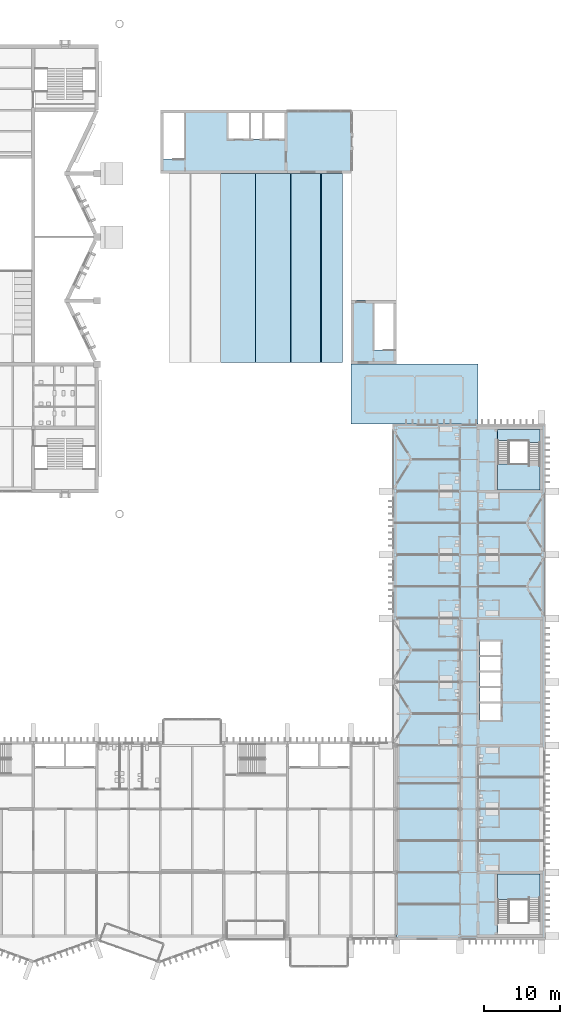
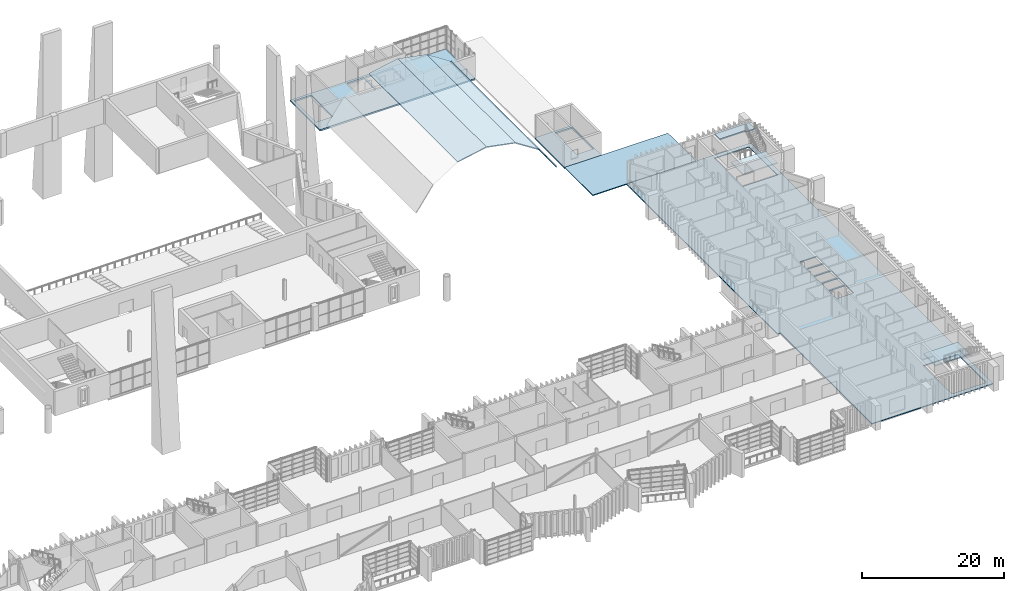
# One storey, part 56 of 100: 11 slabs, 2 elements without a shape of their own.
"""IFC4 building model written with IfcOpenShell, lengths in metres."""

import ifcopenshell
import ifcopenshell.guid

model = None  # the IFC model being written
_history = None  # IfcOwnerHistory: only IFC2X3 demands one
_inside = {}  # id of a spatial element -> (the spatial element, [elements in it])
_under = {}  # id of a project, library or spatial element -> (it, [spatial elements below it])
_declared = {}  # id of a project -> (the project, [libraries it declares])
_typed = {}  # id of a type object -> (the type object, [elements of that type])
_made_of = {}  # id of a material, layer set ... -> (it, [elements and type objects made of it])


def new_model(schema):
    """Start an empty IFC model of exactly this schema.

    Asked for "IFC4X3", IfcOpenShell would pick the latest addendum, in which some entities
    have other attributes; the version numbers below select the first issue.
    IFC2X3 requires an IfcOwnerHistory on every rooted entity: one is made here for all.
    """
    global model, _history
    if schema == "IFC4X3":
        model = ifcopenshell.file(schema_version=(4, 3, 0, 0))
    else:
        model = ifcopenshell.file(schema=schema)
    _inside.clear()
    _under.clear()
    _declared.clear()
    _typed.clear()
    _made_of.clear()
    _history = None
    if model.schema == "IFC2X3":
        org = make("IfcOrganization", Name="unknown")
        user = make(
            "IfcPersonAndOrganization",
            ThePerson=make("IfcPerson", FamilyName="unknown"),
            TheOrganization=org,
        )
        app = make(
            "IfcApplication",
            ApplicationDeveloper=org,
            Version="unknown",
            ApplicationFullName="unknown",
            ApplicationIdentifier="unknown",
        )
        _history = make(
            "IfcOwnerHistory",
            OwningUser=user,
            OwningApplication=app,
            ChangeAction="ADDED",
            CreationDate=0,
        )
    return model


def make(cls, **values):
    """One entity of the class cls with the attributes given. An attribute that is None is left unset."""
    return model.create_entity(
        cls, **{name: value for name, value in values.items() if value is not None}
    )


def rooted(cls, **values):
    """An entity with a GlobalId (a new one), such as an element, a storey or a relation."""
    return make(cls, GlobalId=ifcopenshell.guid.new(), OwnerHistory=_history, **values)


def si_unit(unit_type, name, prefix=None):
    """IfcSIUnit, for example si_unit("LENGTHUNIT", "METRE", prefix="MILLI")."""
    return make("IfcSIUnit", UnitType=unit_type, Prefix=prefix, Name=name)


def assignment(units):
    """IfcUnitAssignment: the units of a project."""
    return None if units is None else make("IfcUnitAssignment", Units=units)


def point(xyz):
    """IfcCartesianPoint."""
    return None if xyz is None else make("IfcCartesianPoint", Coordinates=xyz)


def direction(xyz):
    """IfcDirection."""
    return None if xyz is None else make("IfcDirection", DirectionRatios=xyz)


def frame(location, z_axis=None, x_axis=None):
    """IfcAxis2Placement3D, a coordinate frame: its origin and axes. An axis left out is left unset."""
    return make(
        "IfcAxis2Placement3D",
        Location=point(location),
        Axis=direction(z_axis),
        RefDirection=direction(x_axis),
    )


def origin():
    """The frame at (0, 0, 0) with its axes left unset."""
    return frame((0.0, 0.0, 0.0))


def place(relative_to, where):
    """IfcLocalPlacement: puts the frame where relative to a parent placement (None: the world)."""
    return make(
        "IfcLocalPlacement", PlacementRelTo=relative_to, RelativePlacement=where
    )


def context(
    kind, dimensions, precision=None, world=None, true_north=None, identifier=None
):
    """IfcGeometricRepresentationContext, for example the 3D "Model" context."""
    return make(
        "IfcGeometricRepresentationContext",
        ContextIdentifier=identifier,
        ContextType=kind,
        CoordinateSpaceDimension=dimensions,
        Precision=precision,
        WorldCoordinateSystem=world,
        TrueNorth=true_north,
    )


def subcontext(parent, identifier, kind, view, scale=None):
    """IfcGeometricRepresentationSubContext, for example "Body" below "Model"."""
    return make(
        "IfcGeometricRepresentationSubContext",
        ContextIdentifier=identifier,
        ContextType=kind,
        ParentContext=parent,
        TargetScale=scale,
        TargetView=view,
    )


def project(units=None, contexts=None):
    """IfcProject with its units and contexts."""
    return rooted(
        "IfcProject",
        Name="project",
        RepresentationContexts=contexts,
        UnitsInContext=assignment(units),
    )


def spatial(cls, under=None, at=None, **own):
    """A site, building, storey or space (cls), placed at a placement, below another one or the project."""
    s = rooted(cls, ObjectPlacement=at, **own)
    if under is not None:
        _under.setdefault(under.id(), (under, []))[1].append(s)
    return s


def polyline(points):
    """IfcPolyline through the points."""
    return make("IfcPolyline", Points=[point(p) for p in points])


def outline(outer, holes=None, kind="AREA"):
    """IfcArbitraryClosedProfileDef: a profile drawn as a closed curve; with holes, ...WithVoids."""
    if holes is None:
        return make("IfcArbitraryClosedProfileDef", ProfileType=kind, OuterCurve=outer)
    return make(
        "IfcArbitraryProfileDefWithVoids",
        ProfileType=kind,
        OuterCurve=outer,
        InnerCurves=holes,
    )


def extrude(swept, where, along, depth):
    """IfcExtrudedAreaSolid: the profile swept, set in the frame where, extruded along a direction by depth."""
    return make(
        "IfcExtrudedAreaSolid",
        SweptArea=swept,
        Position=where,
        ExtrudedDirection=direction(along),
        Depth=depth,
    )


def shape(context_of_items, identifier, shape_type, items):
    """IfcShapeRepresentation: the items that make up one representation, for example the "Body"."""
    return make(
        "IfcShapeRepresentation",
        ContextOfItems=context_of_items,
        RepresentationIdentifier=identifier,
        RepresentationType=shape_type,
        Items=items,
    )


def material(Name=None, Category=None):
    """IfcMaterial."""
    return make("IfcMaterial", Name=Name, Category=Category)


def layer(
    of_material, thickness, ventilated=None, Name=None, Category=None, Priority=None
):
    """IfcMaterialLayer: one layer of a wall or slab, of a material (None: an air gap)."""
    return make(
        "IfcMaterialLayer",
        Material=of_material,
        LayerThickness=thickness,
        IsVentilated=ventilated,
        Name=Name,
        Category=Category,
        Priority=Priority,
    )


def layer_set(layers, Name=None):
    """IfcMaterialLayerSet."""
    return make("IfcMaterialLayerSet", MaterialLayers=layers, LayerSetName=Name)


def made_of(thing, what):
    """Note that an element or type object is made of a material, layer set ...; save() writes the relation."""
    if what is not None:
        _made_of.setdefault(what.id(), (what, []))[1].append(thing)
    return thing


def type_object(cls, material=None, **own):
    """A type object (cls), such as IfcWallType, which elements share."""
    return made_of(rooted(cls, **own), material)


def element(
    cls,
    number,
    at=None,
    inside=None,
    cuts=None,
    type_object=None,
    material=None,
    context=None,
    identifier="Body",
    shape_type=None,
    held_by="IfcProductDefinitionShape",
    body=None,
    shapes=None,
    **own,
):
    """One element of the class cls, such as IfcWall. Its Tag is "e" and its number.

    at: its placement. inside: the storey or other place that contains it. cuts: it is an
    opening in that element (IfcRelVoidsElement). A single representation is given by context,
    identifier, shape_type and body (its items); several are given by shapes. held_by: the class
    of the entity that holds the representations. save() writes the other relations.
    """
    e = rooted(cls, Tag="e%d" % number, ObjectPlacement=at, **own)
    if body is not None:
        shapes = [shape(context, identifier, shape_type, body)]
    if shapes is not None:
        e.Representation = make(held_by, Representations=shapes)
    if inside is not None:
        _inside.setdefault(inside.id(), (inside, []))[1].append(e)
    if cuts is not None:
        rooted(
            "IfcRelVoidsElement", RelatingBuildingElement=cuts, RelatedOpeningElement=e
        )
    if type_object is not None:
        _typed.setdefault(type_object.id(), (type_object, []))[1].append(e)
    return made_of(e, material)


def aggregate(whole, parts):
    """IfcRelAggregates: a whole, such as a stair, and the parts it consists of."""
    return rooted("IfcRelAggregates", RelatingObject=whole, RelatedObjects=parts)


def save(model, path):
    """Write the relations noted so far, then the file.

    IfcRelAggregates (storeys below a building ...), IfcRelContainedInSpatialStructure (elements
    in a storey), IfcRelDefinesByType, IfcRelAssociatesMaterial and IfcRelDeclares: one each for
    every whole, place, type object, material and project.
    """
    for whole, parts in _under.values():
        aggregate(whole, parts)
    for where, things in _inside.values():
        rooted(
            "IfcRelContainedInSpatialStructure",
            RelatedElements=things,
            RelatingStructure=where,
        )
    for kind, things in _typed.values():
        rooted("IfcRelDefinesByType", RelatedObjects=things, RelatingType=kind)
    for what, things in _made_of.values():
        rooted("IfcRelAssociatesMaterial", RelatedObjects=things, RelatingMaterial=what)
    for by, libraries in _declared.values():
        rooted("IfcRelDeclares", RelatingContext=by, RelatedDefinitions=libraries)
    model.write(path)


model = new_model("IFC4")

# Units and contexts
model_context = context("Model", 3, precision=1e-05, world=origin(), true_north=direction((0.0, 1.0)))
body_context = subcontext(model_context, "Body", "Model", "MODEL_VIEW")
ifc_project = project(units=[si_unit("LENGTHUNIT", "METRE"), si_unit("AREAUNIT", "SQUARE_METRE"), si_unit("VOLUMEUNIT", "CUBIC_METRE"), si_unit("PLANEANGLEUNIT", "RADIAN"), si_unit("MASSUNIT", "GRAM", prefix="KILO")], contexts=[model_context])

# Site, building, storey
site_placement = place(None, origin())
site = spatial("IfcSite", under=ifc_project, at=site_placement, CompositionType="ELEMENT")
building_placement = place(site_placement, origin())
building = spatial("IfcBuilding", under=site, at=building_placement, Name="Cresset Court Congress Hotel", CompositionType="ELEMENT")
storey_placement = place(building_placement, frame((0.0, 0.0, 10.199951171875)))
storey = spatial("IfcBuildingStorey", under=building, at=storey_placement, Name="L02", CompositionType="ELEMENT", Elevation=10.199951171875)

# Slabs
ifc_material_1 = material(Name="Concrete C35", Category="concrete")
ifc_layer_1 = layer(ifc_material_1, 0.14990234375)
ifc_layer_set_1 = layer_set([ifc_layer_1], Name="Composite floor slab 150")
slab_type_1 = type_object("IfcSlabType", Name="Composite floor slab 150", PredefinedType="FLOOR", material=ifc_layer_set_1)
slab_1_placement = place(storey_placement, frame((0.0, 0.0, -0.14990234375)))
element("IfcSlab", 1, at=slab_1_placement, inside=storey, type_object=slab_type_1, Name="A.slab.L02", PredefinedType="FLOOR", context=body_context, shape_type="SweptSolid", body=[
    extrude(outline(polyline([(157.199951171875, -0.5), (176.89990234375, -0.5), (176.89990234375, 67.699951171875), (156.699951171875, 67.699951171875), (156.699951171875, 25.199951171875), (157.199951171875, 25.199951171875), (157.199951171875, -0.5)]), holes=[polyline([(170.60009765625, 0.199951171875), (176.199951171875, 0.199951171875), (176.199951171875, 8.199951171875), (170.60009765625, 8.199951171875), (170.60009765625, 0.199951171875)]), polyline([(170.60009765625, 59.0), (176.199951171875, 59.0), (176.199951171875, 67.0), (170.60009765625, 67.0), (170.60009765625, 59.0)]), polyline([(168.25, 28.550048828125), (171.0, 28.550048828125), (171.0, 30.75), (168.25, 30.75), (168.25, 28.550048828125)]), polyline([(168.25, 31.0), (171.0, 31.0), (171.0, 32.800048828125), (168.25, 32.800048828125), (168.25, 31.0)]), polyline([(168.25, 33.050048828125), (171.0, 33.050048828125), (171.0, 34.85009765625), (168.25, 34.85009765625), (168.25, 33.050048828125)]), polyline([(168.25, 35.10009765625), (171.0, 35.10009765625), (171.0, 36.89990234375), (168.25, 36.89990234375), (168.25, 35.10009765625)]), polyline([(168.25, 37.14990234375), (171.0, 37.14990234375), (171.0, 38.949951171875), (168.25, 38.949951171875), (168.25, 37.14990234375)])]), origin(), (0.0, 0.0, 1.0), 0.14990234375),
])
ifc_material_2 = material(Name="Concrete C50", Category="concrete")
ifc_layer_2 = layer(ifc_material_2, 0.14990234375)
ifc_layer_set_2 = layer_set([ifc_layer_2], Name="Concrete vault shell 150 C50")
slab_type_2 = type_object("IfcSlabType", Name="Concrete vault shell 150 C50", PredefinedType="ROOF", material=ifc_layer_set_2)
slab_2_placement = place(storey_placement, frame((133.914794921875, 75.800048828125, 6.897705078125), z_axis=(-0.189114975728, 0.0, 0.981954951082), x_axis=(0.981954951082, 0.0, 0.189114975728)))
element("IfcSlab", 2, at=slab_2_placement, inside=storey, type_object=slab_type_2, Name="Vault shell facet 4", PredefinedType="ROOF", context=body_context, shape_type="SweptSolid", body=[
    extrude(outline(polyline([(0.0, 0.0), (4.771402933719381, 0.0), (4.771402933719381, 25.0), (0.0, 25.0), (0.0, 0.0)])), origin(), (0.0, 0.0, -1.0), 0.14990234375),
])
slab_3_placement = place(storey_placement, frame((138.60009765625, 75.800048828125, 7.800048828125), z_axis=(0.189124478118, 0.0, 0.981953120967), x_axis=(0.981953120967, 0.0, -0.189124478118)))
element("IfcSlab", 3, at=slab_3_placement, inside=storey, type_object=slab_type_2, Name="Vault shell facet 5", PredefinedType="ROOF", context=body_context, shape_type="SweptSolid", body=[
    extrude(outline(polyline([(0.0, 0.0), (4.771163198847299, 0.0), (4.771163198847299, 25.0), (0.0, 25.0), (0.0, 0.0)])), origin(), (0.0, 0.0, -1.0), 0.14990234375),
])
slab_4_placement = place(storey_placement, frame((143.28515625, 75.800048828125, 6.897705078125), z_axis=(0.540258352625, 0.0, 0.84149920524), x_axis=(0.84149920524, 0.0, -0.540258352625)))
element("IfcSlab", 4, at=slab_4_placement, inside=storey, type_object=slab_type_2, Name="Vault shell facet 6", PredefinedType="ROOF", context=body_context, shape_type="SweptSolid", body=[
    extrude(outline(polyline([(0.0, 0.0), (4.7711186809522435, 0.0), (4.7711186809522435, 25.0), (0.0, 25.0), (0.0, 0.0)])), origin(), (0.0, 0.0, -1.0), 0.14990234375),
])
slab_5_placement = place(storey_placement, frame((147.300048828125, 75.800048828125, 4.320068359375), z_axis=(0.814168880747, 0.0, 0.580628137127), x_axis=(0.580628137127, 0.0, -0.814168880747)))
element("IfcSlab", 5, at=slab_5_placement, inside=storey, type_object=slab_type_2, Name="Vault shell facet 7", PredefinedType="ROOF", context=body_context, shape_type="SweptSolid", body=[
    extrude(outline(polyline([(0.0, 0.0), (4.771149544321715, 0.0), (4.771149544321715, 25.0), (0.0, 25.0), (0.0, 0.0)])), origin(), (0.0, 0.0, -1.0), 0.14990234375),
])
ifc_material_3 = material(Name="Concrete C35", Category="concrete")
ifc_layer_3 = layer(ifc_material_3, 0.14990234375)
ifc_layer_set_3 = layer_set([ifc_layer_3], Name="Link roof slab 150")
slab_type_3 = type_object("IfcSlabType", Name="Link roof slab 150", PredefinedType="ROOF", material=ifc_layer_set_3)
slab_6_placement = place(storey_placement, frame((0.0, 0.0, -0.14990234375)))
element("IfcSlab", 6, at=slab_6_placement, inside=storey, type_object=slab_type_3, Name="S.link.L02.slab", PredefinedType="ROOF", context=body_context, shape_type="SweptSolid", body=[
    extrude(outline(polyline([(151.199951171875, 67.699951171875), (168.0, 67.699951171875), (168.0, 75.60009765625), (151.199951171875, 75.60009765625), (151.199951171875, 67.699951171875)])), origin(), (0.0, 0.0, 1.0), 0.14990234375),
])
ifc_material_4 = material(Name="Concrete C35", Category="concrete")
ifc_layer_4 = layer(ifc_material_4, 0.280029296875)
ifc_layer_set_4 = layer_set([ifc_layer_4], Name="RC floor plate 280 C35")
slab_type_4 = type_object("IfcSlabType", Name="RC floor plate 280 C35", PredefinedType="FLOOR", material=ifc_layer_set_4)
slab_7_placement = place(storey_placement, frame((0.0, 0.0, -0.280029296875)))
element("IfcSlab", 7, at=slab_7_placement, inside=storey, type_object=slab_type_4, Name="Spa floor plate L02 north", PredefinedType="FLOOR", context=body_context, shape_type="SweptSolid", body=[
    extrude(outline(polyline([(126.0, 100.800048828125), (151.199951171875, 100.800048828125), (151.199951171875, 109.199951171875), (126.0, 109.199951171875), (126.0, 100.800048828125)]), holes=[polyline([(135.0, 105.39990234375), (137.72509765625, 105.39990234375), (137.72509765625, 108.800048828125), (135.0, 108.800048828125), (135.0, 105.39990234375)]), polyline([(139.699951171875, 105.39990234375), (142.39990234375, 105.39990234375), (142.39990234375, 108.800048828125), (139.699951171875, 108.800048828125), (139.699951171875, 105.39990234375)]), polyline([(137.97509765625, 105.39990234375), (139.449951171875, 105.39990234375), (139.449951171875, 108.800048828125), (137.97509765625, 108.800048828125), (137.97509765625, 105.39990234375)]), polyline([(129.14990234375, 102.70068359375), (129.14990234375, 108.800048828125), (126.39990234375, 108.800048828125), (126.39990234375, 102.70068359375), (129.14990234375, 102.70068359375)])]), origin(), (0.0, 0.0, 1.0), 0.280029296875),
])
slab_8_placement = place(storey_placement, frame((0.0, 0.0, -0.280029296875)))
element("IfcSlab", 8, at=slab_8_placement, inside=storey, type_object=slab_type_4, Name="Spa floor plate L02 stair", PredefinedType="FLOOR", context=body_context, shape_type="SweptSolid", body=[
    extrude(outline(polyline([(151.199951171875, 75.60009765625), (157.199951171875, 75.60009765625), (157.199951171875, 84.0), (151.199951171875, 84.0), (151.199951171875, 75.60009765625)]), holes=[polyline([(157.0, 77.500732421875), (157.0, 83.60009765625), (154.25, 83.60009765625), (154.25, 77.500732421875), (157.0, 77.500732421875)])]), origin(), (0.0, 0.0, 1.0), 0.280029296875),
])

# Stair, slab
ifc_material_5 = material(Name="Concrete C40", Category="concrete")
stair_type = type_object("IfcStairType", Name="Concrete dog-leg stair 5600", PredefinedType="HALF_TURN_STAIR", material=ifc_material_5)
stair_1_placement = place(storey_placement, origin())
stair_1 = element("IfcStair", 9, at=stair_1_placement, inside=storey, type_object=stair_type, Name="Stair A1 L02", PredefinedType="HALF_TURN_STAIR")
ifc_material_6 = material(Name="Concrete C40", Category="concrete")
ifc_layer_5 = layer(ifc_material_6, 0.199951171875)
ifc_layer_set_5 = layer_set([ifc_layer_5], Name="Stair landing 200")
slab_type_5 = type_object("IfcSlabType", Name="Stair landing 200", PredefinedType="LANDING", material=ifc_layer_set_5)
slab_9_placement = place(storey_placement, frame((0.0, 0.0, 1.900146484375)))
slab_9 = element("IfcSlab", 10, at=slab_9_placement, type_object=slab_type_5, Name="A-ST1 landing 1", PredefinedType="LANDING", context=body_context, shape_type="SweptSolid", body=[
    extrude(outline(polyline([(170.60009765625, 4.819091796875), (176.199951171875, 4.819091796875), (176.199951171875, 8.199951171875), (170.60009765625, 8.199951171875), (170.60009765625, 4.819091796875)])), origin(), (0.0, 0.0, 1.0), 0.199951171875),
])
aggregate(stair_1, [slab_9])

# Stair, slabs
stair_2_placement = place(storey_placement, origin())
stair_2 = element("IfcStair", 11, at=stair_2_placement, inside=storey, type_object=stair_type, Name="Stair A2 L02", PredefinedType="HALF_TURN_STAIR")
slab_10_placement = place(storey_placement, frame((0.0, 0.0, 1.900146484375)))
slab_10 = element("IfcSlab", 12, at=slab_10_placement, type_object=slab_type_5, Name="A-ST1 landing 1", PredefinedType="LANDING", context=body_context, shape_type="SweptSolid", body=[
    extrude(outline(polyline([(170.60009765625, 62.380859375), (176.199951171875, 62.380859375), (176.199951171875, 59.0), (170.60009765625, 59.0), (170.60009765625, 62.380859375)])), origin(), (0.0, 0.0, 1.0), 0.199951171875),
])
slab_11_placement = place(storey_placement, frame((0.0, 0.0, 4.0)))
slab_11 = element("IfcSlab", 13, at=slab_11_placement, type_object=slab_type_5, Name="A-ST1 landing 2", PredefinedType="LANDING", context=body_context, shape_type="SweptSolid", body=[
    extrude(outline(polyline([(170.60009765625, 67.0), (176.199951171875, 67.0), (176.199951171875, 65.2392578125), (174.699951171875, 65.2392578125), (174.699951171875, 65.499267578125), (170.60009765625, 65.499267578125), (170.60009765625, 67.0)])), origin(), (0.0, 0.0, 1.0), 0.199951171875),
])
aggregate(stair_2, [slab_10, slab_11])

save(model, "model.ifc")
